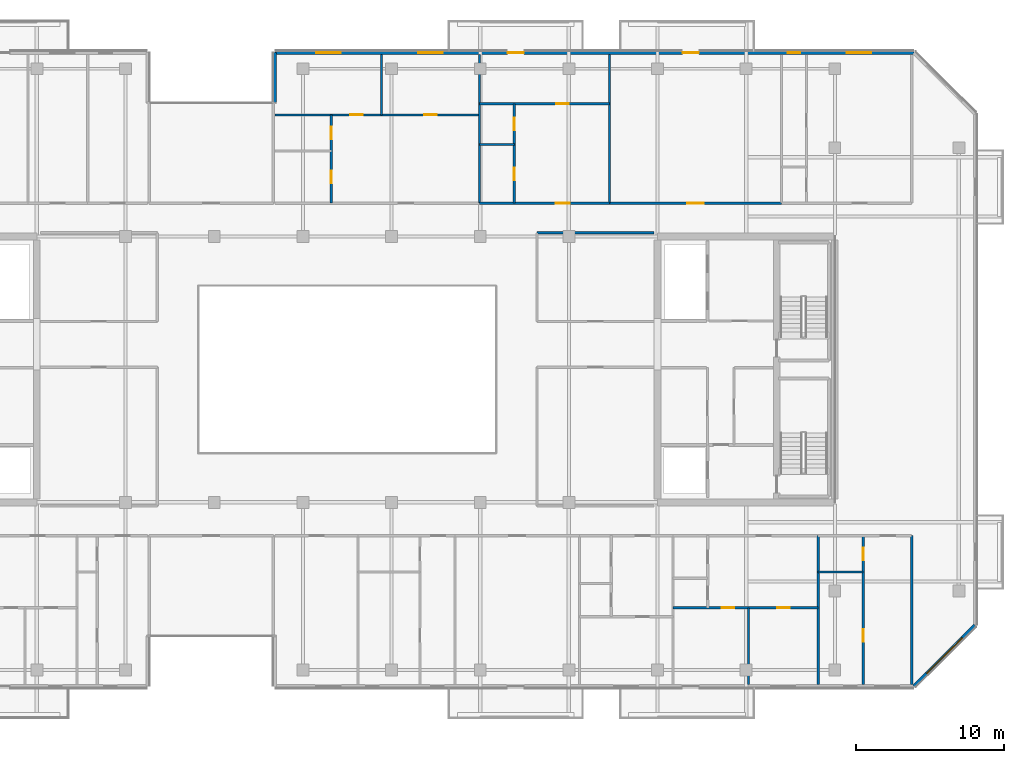
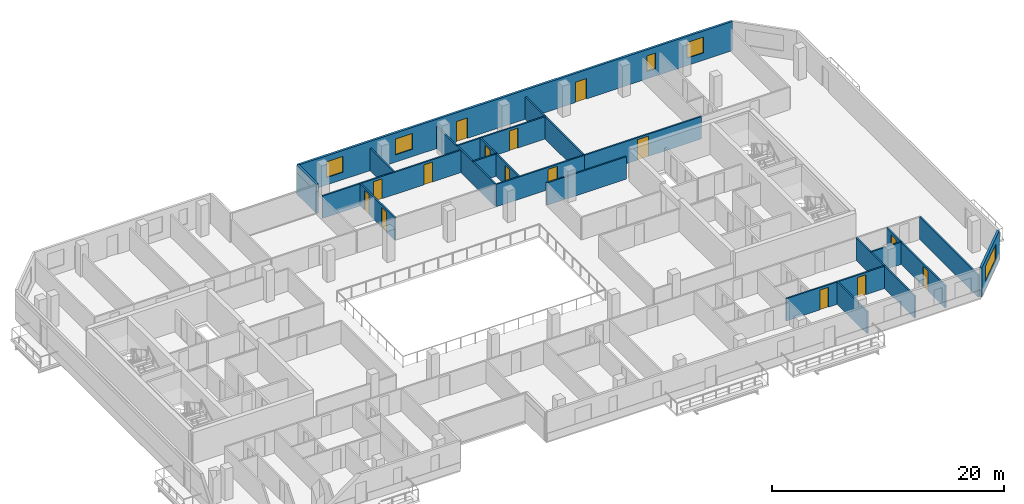
# One storey, part 14 of 20: 20 walls, 15 doors, 5 windows, 20 openings.
"""IFC4 building model written with IfcOpenShell, lengths in metres."""

from ifc_helpers import new_model, si_unit, direction, frame, frame_2d, origin, place, context, subcontext, project, spatial, rectangle, extrude, material, layer, layer_set, type_object, element, fill, save


model = new_model("IFC4")

# Units and contexts
model_context = context("Model", 3, precision=1e-05, world=origin(), true_north=direction((0.0, 1.0)))
body_context = subcontext(model_context, "Body", "Model", "MODEL_VIEW")
ifc_project = project(units=[si_unit("LENGTHUNIT", "METRE"), si_unit("AREAUNIT", "SQUARE_METRE"), si_unit("VOLUMEUNIT", "CUBIC_METRE"), si_unit("PLANEANGLEUNIT", "RADIAN"), si_unit("MASSUNIT", "GRAM", prefix="KILO")], contexts=[model_context])

# Site, building, storey
site_placement = place(None, origin())
site = spatial("IfcSite", under=ifc_project, at=site_placement, CompositionType="ELEMENT")
building_placement = place(site_placement, origin())
building = spatial("IfcBuilding", under=site, at=building_placement, Name="Tanjung Sevakor Pilgrim Tower", CompositionType="ELEMENT")
storey_placement = place(building_placement, frame((0.0, 0.0, 201.6298828125)))
storey = spatial("IfcBuildingStorey", under=building, at=storey_placement, Name="L56", CompositionType="ELEMENT", Elevation=201.6298828125)

# Walls
ifc_material_1 = material(Name="Concrete C40/50", Category="concrete")
ifc_layer_1 = layer(ifc_material_1, 0.14990234375)
ifc_layer_set_1 = layer_set([ifc_layer_1], Name="WT-COMP-150")
wall_type_1 = type_object("IfcWallType", Name="WT-COMP-150", PredefinedType="SOLIDWALL", material=ifc_layer_set_1)
wall_1_placement = place(storey_placement, frame((69.85009765625, 42.85009765625, 0.0), z_axis=(0.0, 0.0, 1.0), x_axis=(1.0, 0.0, 0.0)))
element("IfcWall", 1, at=wall_1_placement, inside=storey, type_object=wall_type_1, Name="L56 Partition IW-L56-029", PredefinedType="SOLIDWALL", context=body_context, shape_type="SweptSolid", body=[
    extrude(rectangle(XDim=7.90478515625, YDim=0.14990234375, at=frame_2d((3.952392578125, 0.0))), origin(), (0.0, 0.0, 1.0), 2.35009765625),
])
for number, where, z_axis, x_axis, name in (
    (2, (95.199951171875, 12.27001953125, 0.0), (0.0, 0.0, 1.0), (0.0, 1.0, 0.0), "L56 Partition IW-L56-051"),
    (3, (88.87841796875, 12.27001953125, 0.0), (0.0, 0.0, 1.0), (0.0, 1.0, 0.0), "L56 Partition IW-L56-065"),
):
    element("IfcWall", number, at=place(storey_placement, frame(where, z_axis=z_axis, x_axis=x_axis)), inside=storey, type_object=wall_type_1, Name=name, PredefinedType="SOLIDWALL", context=body_context, shape_type="SweptSolid", body=[
        extrude(rectangle(XDim=10.080078125, YDim=0.14990234375, at=frame_2d((5.0400390625, 0.0))), origin(), (0.0, 0.0, 1.0), 2.35009765625),
    ])
for number, where, z_axis, x_axis, name in (
    (4, (65.955810546875, 44.85009765625, 0.0), (0.0, 0.0, 1.0), (0.0, 1.0, 0.0), "L56 Partition IW-L56-083"),
    (5, (74.760498046875, 44.85009765625, 0.0), (0.0, 0.0, 1.0), (0.0, 1.0, 0.0), "L56 Partition IW-L56-089"),
):
    element("IfcWall", number, at=place(storey_placement, frame(where, z_axis=z_axis, x_axis=x_axis)), inside=storey, type_object=wall_type_1, Name=name, PredefinedType="SOLIDWALL", context=body_context, shape_type="SweptSolid", body=[
        extrude(rectangle(XDim=10.079833984375, YDim=0.14990234375, at=frame_2d((5.0400390625, 0.0))), origin(), (0.0, 0.0, 1.0), 2.35009765625),
    ])

# Wall, opening, door
wall_2_placement = place(storey_placement, frame((65.955810546875, 44.85009765625, 0.0), z_axis=(0.0, 0.0, 1.0), x_axis=(1.0, 0.0, 0.0)))
wall_2 = element("IfcWall", 6, at=wall_2_placement, inside=storey, type_object=wall_type_1, Name="L56 Partition IW-L56-093", PredefinedType="SOLIDWALL", context=body_context, shape_type="SweptSolid", body=[
    extrude(rectangle(XDim=8.8046875, YDim=0.14990234375, at=frame_2d((4.40234375, 0.0))), origin(), (0.0, 0.0, 1.0), 2.35009765625),
])
opening_1_placement = place(wall_2_placement, frame((5.142333984375, 0.0, 0.0)))
opening_1 = element("IfcOpeningElement", 7, at=opening_1_placement, cuts=wall_2, Name="Opening ID-FD2", PredefinedType="OPENING", context=body_context, shape_type="SweptSolid", body=[
    extrude(rectangle(XDim=0.949951171875, YDim=2.14990234375, at=frame_2d((0.47509765625, 1.074951171875))), frame((0.0, 0.0849609375, 0.0), z_axis=(0.0, -1.0, 0.0), x_axis=(1.0, 0.0, 0.0)), (0.0, 0.0, 1.0), 0.169921875),
])
ifc_material_2 = material(Name="Fire-Rated Timber", Category="wood")
door_type_1 = type_object("IfcDoorType", Name="DT-FIRE-950", OperationType="NOTDEFINED", PredefinedType="DOOR", material=ifc_material_2)
door_1_placement = place(opening_1_placement, origin())
door_1 = element("IfcDoor", 8, at=door_1_placement, inside=storey, type_object=door_type_1, Name="Residence Entrance", OperationType="SINGLE_SWING_LEFT", OverallHeight=2.14990234375, OverallWidth=0.949951171875, PredefinedType="DOOR", context=body_context, shape_type="SweptSolid", body=[
    extrude(rectangle(XDim=0.949951171875, YDim=2.14990234375, at=frame_2d((0.47509765625, 1.074951171875))), frame((0.0, 0.02490234375, 0.0), z_axis=(0.0, -1.0, 0.0), x_axis=(1.0, 0.0, 0.0)), (0.0, 0.0, 1.0), 0.050048828125),
])
fill(opening_1, door_1)

wall_3_placement = place(storey_placement, frame((74.760498046875, 44.85009765625, 0.0), z_axis=(0.0, 0.0, 1.0), x_axis=(1.0, 0.0, 0.0)))
wall_3 = element("IfcWall", 9, at=wall_3_placement, inside=storey, type_object=wall_type_1, Name="L56 Partition IW-L56-095", PredefinedType="SOLIDWALL", context=body_context, shape_type="SweptSolid", body=[
    extrude(rectangle(XDim=11.634765625, YDim=0.14990234375, at=frame_2d((5.8173828125, 0.0))), origin(), (0.0, 0.0, 1.0), 2.35009765625),
])
opening_2_placement = place(wall_3_placement, frame((5.267333984375, 0.0, 0.0)))
opening_2 = element("IfcOpeningElement", 10, at=opening_2_placement, cuts=wall_3, Name="Opening ID-FD0", PredefinedType="OPENING", context=body_context, shape_type="SweptSolid", body=[
    extrude(rectangle(XDim=1.10009765625, YDim=2.14990234375, at=frame_2d((0.550048828125, 1.074951171875))), frame((0.0, 0.0849609375, 0.0), z_axis=(0.0, -1.0, 0.0), x_axis=(1.0, 0.0, 0.0)), (0.0, 0.0, 1.0), 0.169921875),
])
ifc_material_3 = material(Name="Fire-Rated Steel S355J2", Category="steel")
door_type_2 = type_object("IfcDoorType", Name="DT-FIRE-1100", OperationType="NOTDEFINED", PredefinedType="DOOR", material=ifc_material_3)
door_2_placement = place(opening_2_placement, origin())
door_2 = element("IfcDoor", 11, at=door_2_placement, inside=storey, type_object=door_type_2, Name="Seminar Room Door", OperationType="SINGLE_SWING_RIGHT", OverallHeight=2.14990234375, OverallWidth=1.10009765625, PredefinedType="DOOR", context=body_context, shape_type="SweptSolid", body=[
    extrude(rectangle(XDim=1.10009765625, YDim=2.14990234375, at=frame_2d((0.550048828125, 1.074951171875))), frame((0.0, 0.02490234375, 0.0), z_axis=(0.0, -1.0, 0.0), x_axis=(1.0, 0.0, 0.0)), (0.0, 0.0, 1.0), 0.050048828125),
])
fill(opening_2, door_2)

# Wall, opening, window
ifc_material_4 = material(Name="Precast concrete C45/55", Category="concrete")
ifc_layer_2 = layer(ifc_material_4, 0.219970703125)
ifc_layer_set_2 = layer_set([ifc_layer_2], Name="WT-EW-STN4")
wall_type_2 = type_object("IfcWallType", Name="WT-EW-STN4", PredefinedType="SOLIDWALL", material=ifc_layer_set_2)
wall_4_placement = place(storey_placement, frame((95.3544921875, 12.159912109375, 0.0), z_axis=(0.0, 0.0, 1.0), x_axis=(0.707085909342, 0.707127652415, 0.0)))
wall_4 = element("IfcWall", 12, at=wall_4_placement, inside=storey, type_object=wall_type_2, Name="L56 MAIN Sculpted Corner Wall 5", PredefinedType="SOLIDWALL", context=body_context, shape_type="SweptSolid", body=[
    extrude(rectangle(XDim=5.8486328125, YDim=0.219970703125, at=frame_2d((2.92431640625, 0.0))), origin(), (0.0, 0.0, 1.0), 3.080078125),
])
opening_3_placement = place(wall_4_placement, frame((1.224365234375, 0.0, 0.780029296875)))
opening_3 = element("IfcOpeningElement", 13, at=opening_3_placement, cuts=wall_4, Name="Opening WN-CHM-1660", PredefinedType="OPENING", context=body_context, shape_type="SweptSolid", body=[
    extrude(rectangle(XDim=3.39990234375, YDim=1.659912109375, at=frame_2d((1.699951171875, 0.830078125))), frame((0.0, 0.119873046875, 0.0), z_axis=(0.0, -1.0, 0.0), x_axis=(1.0, 0.0, 0.0)), (0.0, 0.0, 1.0), 0.239990234375),
])
ifc_material_5 = material(Name="Thermally Broken Aluminium and Low-E Glass", Category="aluminium")
window_type_1 = type_object("IfcWindowType", Name="WTYP-WN-CHM-1660", PartitioningType="DOUBLE_PANEL_VERTICAL", PredefinedType="WINDOW", material=ifc_material_5)
window_1_placement = place(opening_3_placement, origin())
window_1 = element("IfcWindow", 14, at=window_1_placement, inside=storey, type_object=window_type_1, Name="L56 Facade Window 01", OverallHeight=1.659912109375, OverallWidth=3.39990234375, PartitioningType="SINGLE_PANEL", PredefinedType="WINDOW", context=body_context, shape_type="SweptSolid", body=[
    extrude(rectangle(XDim=3.39990234375, YDim=1.659912109375, at=frame_2d((1.699951171875, 0.830078125))), frame((0.0, 0.030029296875, 0.0), z_axis=(0.0, -1.0, 0.0), x_axis=(1.0, 0.0, 0.0)), (0.0, 0.0, 1.0), 0.06005859375),
])
fill(opening_3, window_1)

# Wall, openings, doors, windows
wall_5_placement = place(storey_placement, frame((95.3544921875, 55.0400390625, 0.0), z_axis=(0.0, 0.0, 1.0), x_axis=(-1.0, 0.0, 0.0)))
wall_5 = element("IfcWall", 15, at=wall_5_placement, inside=storey, type_object=wall_type_2, Name="L56 MAIN Exterior Wall 9", PredefinedType="SOLIDWALL", context=body_context, shape_type="SweptSolid", body=[
    extrude(rectangle(XDim=43.244384765625, YDim=0.219970703125, at=frame_2d((21.6220703125, 0.0))), origin(), (0.0, 0.0, 1.0), 3.080078125),
])
opening_4_placement = place(wall_5_placement, frame((26.404296875, 0.0, 0.0)))
opening_4 = element("IfcOpeningElement", 16, at=opening_4_placement, cuts=wall_5, Name="Opening ED-BAL-1100", PredefinedType="OPENING", context=body_context, shape_type="SweptSolid", body=[
    extrude(rectangle(XDim=1.10009765625, YDim=2.14990234375, at=frame_2d((0.550048828125, 1.074951171875))), frame((0.0, 0.119873046875, 0.0), z_axis=(0.0, -1.0, 0.0), x_axis=(1.0, 0.0, 0.0)), (0.0, 0.0, 1.0), 0.239990234375),
])
opening_5_placement = place(wall_5_placement, frame((14.554443359375, 0.0, 0.0)))
opening_5 = element("IfcOpeningElement", 17, at=opening_5_placement, cuts=wall_5, Name="Opening ED-BAL-1100", PredefinedType="OPENING", context=body_context, shape_type="SweptSolid", body=[
    extrude(rectangle(XDim=1.10009765625, YDim=2.14990234375, at=frame_2d((0.550048828125, 1.074951171875))), frame((0.0, 0.119873046875, 0.0), z_axis=(0.0, -1.0, 0.0), x_axis=(1.0, 0.0, 0.0)), (0.0, 0.0, 1.0), 0.239990234375),
])
opening_6_placement = place(wall_5_placement, frame((38.802001953125, 0.0, 0.780029296875)))
opening_6 = element("IfcOpeningElement", 18, at=opening_6_placement, cuts=wall_5, Name="Opening WN-Z4-1660", PredefinedType="OPENING", context=body_context, shape_type="SweptSolid", body=[
    extrude(rectangle(XDim=1.64990234375, YDim=1.659912109375, at=frame_2d((0.824951171875, 0.830078125))), frame((0.0, 0.119873046875, 0.0), z_axis=(0.0, -1.0, 0.0), x_axis=(1.0, 0.0, 0.0)), (0.0, 0.0, 1.0), 0.239990234375),
])
opening_7_placement = place(wall_5_placement, frame((31.904052734375, 0.0, 0.780029296875)))
opening_7 = element("IfcOpeningElement", 19, at=opening_7_placement, cuts=wall_5, Name="Opening WN-Z4-1660", PredefinedType="OPENING", context=body_context, shape_type="SweptSolid", body=[
    extrude(rectangle(XDim=1.64990234375, YDim=1.659912109375, at=frame_2d((0.824951171875, 0.830078125))), frame((0.0, 0.119873046875, 0.0), z_axis=(0.0, -1.0, 0.0), x_axis=(1.0, 0.0, 0.0)), (0.0, 0.0, 1.0), 0.239990234375),
])
opening_8_placement = place(wall_5_placement, frame((7.681640625, 0.0, 0.780029296875)))
opening_8 = element("IfcOpeningElement", 20, at=opening_8_placement, cuts=wall_5, Name="Opening WN-SLM", PredefinedType="OPENING", context=body_context, shape_type="SweptSolid", body=[
    extrude(rectangle(XDim=0.85009765625, YDim=1.64990234375, at=frame_2d((0.425048828125, 0.824951171875))), frame((0.0, 0.119873046875, 0.0), z_axis=(0.0, -1.0, 0.0), x_axis=(1.0, 0.0, 0.0)), (0.0, 0.0, 1.0), 0.239990234375),
])
opening_9_placement = place(wall_5_placement, frame((2.8994140625, 0.0, 0.780029296875)))
opening_9 = element("IfcOpeningElement", 21, at=opening_9_placement, cuts=wall_5, Name="Opening WN-Z4-1660", PredefinedType="OPENING", context=body_context, shape_type="SweptSolid", body=[
    extrude(rectangle(XDim=1.64990234375, YDim=1.659912109375, at=frame_2d((0.824951171875, 0.830078125))), frame((0.0, 0.119873046875, 0.0), z_axis=(0.0, -1.0, 0.0), x_axis=(1.0, 0.0, 0.0)), (0.0, 0.0, 1.0), 0.239990234375),
])
ifc_material_6 = material(Name="Anodised Aluminium and Laminated Glass", Category="aluminium")
door_type_3 = type_object("IfcDoorType", Name="DTYP-ED-BAL-1100", OperationType="NOTDEFINED", PredefinedType="DOOR", material=ifc_material_6)
door_3_placement = place(opening_4_placement, frame((1.10009765625, 0.0, 0.0), z_axis=(0.0, 0.0, 1.0), x_axis=(-1.0, 0.0, 0.0)))
door_3 = element("IfcDoor", 22, at=door_3_placement, inside=storey, type_object=door_type_3, Name="L56 Balcony Door MAIN-N2", OperationType="SINGLE_SWING_RIGHT", OverallHeight=2.14990234375, OverallWidth=1.10009765625, PredefinedType="DOOR", context=body_context, shape_type="SweptSolid", body=[
    extrude(rectangle(XDim=1.10009765625, YDim=2.14990234375, at=frame_2d((0.550048828125, 1.074951171875))), frame((0.0, 0.02490234375, 0.0), z_axis=(0.0, -1.0, 0.0), x_axis=(1.0, 0.0, 0.0)), (0.0, 0.0, 1.0), 0.050048828125),
])
fill(opening_4, door_3)
door_4_placement = place(opening_5_placement, frame((1.10009765625, 0.0, 0.0), z_axis=(0.0, 0.0, 1.0), x_axis=(-1.0, 0.0, 0.0)))
door_4 = element("IfcDoor", 23, at=door_4_placement, inside=storey, type_object=door_type_3, Name="L56 Balcony Door MAIN-N3", OperationType="SINGLE_SWING_LEFT", OverallHeight=2.14990234375, OverallWidth=1.10009765625, PredefinedType="DOOR", context=body_context, shape_type="SweptSolid", body=[
    extrude(rectangle(XDim=1.10009765625, YDim=2.14990234375, at=frame_2d((0.550048828125, 1.074951171875))), frame((0.0, 0.02490234375, 0.0), z_axis=(0.0, -1.0, 0.0), x_axis=(1.0, 0.0, 0.0)), (0.0, 0.0, 1.0), 0.050048828125),
])
fill(opening_5, door_4)
ifc_material_7 = material(Name="Thermally Broken Aluminium and Low-E Glass", Category="aluminium")
window_type_2 = type_object("IfcWindowType", Name="WTYP-WN-SLM", PartitioningType="SINGLE_PANEL", PredefinedType="WINDOW", material=ifc_material_7)
window_2_placement = place(opening_8_placement, origin())
window_2 = element("IfcWindow", 24, at=window_2_placement, inside=storey, type_object=window_type_2, Name="L56 Facade Window 03", OverallHeight=1.64990234375, OverallWidth=0.85009765625, PartitioningType="SINGLE_PANEL", PredefinedType="WINDOW", context=body_context, shape_type="SweptSolid", body=[
    extrude(rectangle(XDim=0.85009765625, YDim=1.64990234375, at=frame_2d((0.425048828125, 0.824951171875))), frame((0.0, 0.030029296875, 0.0), z_axis=(0.0, -1.0, 0.0), x_axis=(1.0, 0.0, 0.0)), (0.0, 0.0, 1.0), 0.06005859375),
])
fill(opening_8, window_2)
ifc_material_8 = material(Name="Thermally Broken Aluminium and Low-E Glass", Category="aluminium")
window_type_3 = type_object("IfcWindowType", Name="WTYP-WN-Z4-1660", PartitioningType="DOUBLE_PANEL_VERTICAL", PredefinedType="WINDOW", material=ifc_material_8)
window_3_placement = place(opening_6_placement, origin())
window_3 = element("IfcWindow", 25, at=window_3_placement, inside=storey, type_object=window_type_3, Name="L56 Facade Window 01", OverallHeight=1.659912109375, OverallWidth=1.64990234375, PartitioningType="SINGLE_PANEL", PredefinedType="WINDOW", context=body_context, shape_type="SweptSolid", body=[
    extrude(rectangle(XDim=1.64990234375, YDim=1.659912109375, at=frame_2d((0.824951171875, 0.830078125))), frame((0.0, 0.030029296875, 0.0), z_axis=(0.0, -1.0, 0.0), x_axis=(1.0, 0.0, 0.0)), (0.0, 0.0, 1.0), 0.06005859375),
])
fill(opening_6, window_3)
window_4_placement = place(opening_7_placement, origin())
window_4 = element("IfcWindow", 26, at=window_4_placement, inside=storey, type_object=window_type_3, Name="L56 Facade Window 02", OverallHeight=1.659912109375, OverallWidth=1.64990234375, PartitioningType="SINGLE_PANEL", PredefinedType="WINDOW", context=body_context, shape_type="SweptSolid", body=[
    extrude(rectangle(XDim=1.64990234375, YDim=1.659912109375, at=frame_2d((0.824951171875, 0.830078125))), frame((0.0, 0.030029296875, 0.0), z_axis=(0.0, -1.0, 0.0), x_axis=(1.0, 0.0, 0.0)), (0.0, 0.0, 1.0), 0.06005859375),
])
fill(opening_7, window_4)
window_5_placement = place(opening_9_placement, origin())
window_5 = element("IfcWindow", 27, at=window_5_placement, inside=storey, type_object=window_type_3, Name="L56 Facade Window 04", OverallHeight=1.659912109375, OverallWidth=1.64990234375, PartitioningType="SINGLE_PANEL", PredefinedType="WINDOW", context=body_context, shape_type="SweptSolid", body=[
    extrude(rectangle(XDim=1.64990234375, YDim=1.659912109375, at=frame_2d((0.824951171875, 0.830078125))), frame((0.0, 0.030029296875, 0.0), z_axis=(0.0, -1.0, 0.0), x_axis=(1.0, 0.0, 0.0)), (0.0, 0.0, 1.0), 0.06005859375),
])
fill(opening_9, window_5)

# Walls
wall_6_placement = place(storey_placement, frame((52.110107421875, 55.0400390625, 0.0), z_axis=(0.0, 0.0, 1.0), x_axis=(0.0, -1.0, 0.0)))
element("IfcWall", 28, at=wall_6_placement, inside=storey, type_object=wall_type_2, Name="L56 MAIN Exterior Wall 10", PredefinedType="SOLIDWALL", context=body_context, shape_type="SweptSolid", body=[
    extrude(rectangle(XDim=3.400146484375, YDim=0.219970703125, at=frame_2d((1.7001953125, 0.0))), origin(), (0.0, 0.0, 1.0), 3.080078125),
])
ifc_material_9 = material(Name="Gypsum Board Partition", Category="gypsum board")
ifc_layer_3 = layer(ifc_material_9, 0.14990234375)
ifc_layer_set_3 = layer_set([ifc_layer_3], Name="WT-PART-150")
wall_type_3 = type_object("IfcWallType", Name="WT-PART-150", PredefinedType="PARTITIONING", material=ifc_layer_set_3)
wall_7_placement = place(storey_placement, frame((84.158447265625, 12.27001953125, 0.0), z_axis=(0.0, 0.0, 1.0), x_axis=(0.0, 1.0, 0.0)))
element("IfcWall", 29, at=wall_7_placement, inside=storey, type_object=wall_type_3, Name="L56 Partition IW-L56-068", PredefinedType="PARTITIONING", context=body_context, shape_type="SweptSolid", body=[
    extrude(rectangle(XDim=5.199951171875, YDim=0.14990234375, at=frame_2d((2.60009765625, 0.0))), origin(), (0.0, 0.0, 1.0), 2.35009765625),
])

# Wall, openings, doors
wall_8_placement = place(storey_placement, frame((79.044921875, 17.469970703125, 0.0), z_axis=(0.0, 0.0, 1.0), x_axis=(1.0, 0.0, 0.0)))
wall_8 = element("IfcWall", 30, at=wall_8_placement, inside=storey, type_object=wall_type_3, Name="L56 Partition IW-L56-069", PredefinedType="PARTITIONING", context=body_context, shape_type="SweptSolid", body=[
    extrude(rectangle(XDim=9.83349609375, YDim=0.14990234375, at=frame_2d((4.916748046875, 0.0))), origin(), (0.0, 0.0, 1.0), 2.35009765625),
])
opening_10_placement = place(wall_8_placement, frame((3.306640625, 0.0, 0.0)))
opening_10 = element("IfcOpeningElement", 31, at=opening_10_placement, cuts=wall_8, Name="Opening ID-WC1", PredefinedType="OPENING", context=body_context, shape_type="SweptSolid", body=[
    extrude(rectangle(XDim=0.85009765625, YDim=2.10009765625, at=frame_2d((0.425048828125, 1.050048828125))), frame((0.0, 0.0849609375, 0.0), z_axis=(0.0, -1.0, 0.0), x_axis=(1.0, 0.0, 0.0)), (0.0, 0.0, 1.0), 0.169921875),
])
opening_11_placement = place(wall_8_placement, frame((7.04833984375, 0.0, 0.0)))
opening_11 = element("IfcOpeningElement", 32, at=opening_11_placement, cuts=wall_8, Name="Opening ID-WC1", PredefinedType="OPENING", context=body_context, shape_type="SweptSolid", body=[
    extrude(rectangle(XDim=0.85009765625, YDim=2.10009765625, at=frame_2d((0.425048828125, 1.050048828125))), frame((0.0, 0.0849609375, 0.0), z_axis=(0.0, -1.0, 0.0), x_axis=(1.0, 0.0, 0.0)), (0.0, 0.0, 1.0), 0.169921875),
])
ifc_material_10 = material(Name="Moisture-Resistant Timber", Category="wood")
door_type_4 = type_object("IfcDoorType", Name="DT-INT-850", OperationType="NOTDEFINED", PredefinedType="DOOR", material=ifc_material_10)
door_5_placement = place(opening_10_placement, origin())
door_5 = element("IfcDoor", 33, at=door_5_placement, inside=storey, type_object=door_type_4, Name="Suite Bedroom 1 Door", OperationType="SINGLE_SWING_LEFT", OverallHeight=2.10009765625, OverallWidth=0.85009765625, PredefinedType="DOOR", context=body_context, shape_type="SweptSolid", body=[
    extrude(rectangle(XDim=0.85009765625, YDim=2.10009765625, at=frame_2d((0.425048828125, 1.050048828125))), frame((0.0, 0.02490234375, 0.0), z_axis=(0.0, -1.0, 0.0), x_axis=(1.0, 0.0, 0.0)), (0.0, 0.0, 1.0), 0.050048828125),
])
fill(opening_10, door_5)
door_6_placement = place(opening_11_placement, origin())
door_6 = element("IfcDoor", 34, at=door_6_placement, inside=storey, type_object=door_type_4, Name="Suite Bedroom 2 Door", OperationType="SINGLE_SWING_RIGHT", OverallHeight=2.10009765625, OverallWidth=0.85009765625, PredefinedType="DOOR", context=body_context, shape_type="SweptSolid", body=[
    extrude(rectangle(XDim=0.85009765625, YDim=2.10009765625, at=frame_2d((0.425048828125, 1.050048828125))), frame((0.0, 0.02490234375, 0.0), z_axis=(0.0, -1.0, 0.0), x_axis=(1.0, 0.0, 0.0)), (0.0, 0.0, 1.0), 0.050048828125),
])
fill(opening_11, door_6)

# Wall
wall_9_placement = place(storey_placement, frame((88.87841796875, 19.89990234375, 0.0), z_axis=(0.0, 0.0, 1.0), x_axis=(1.0, 0.0, 0.0)))
element("IfcWall", 35, at=wall_9_placement, inside=storey, type_object=wall_type_3, Name="L56 Partition IW-L56-071", PredefinedType="PARTITIONING", context=body_context, shape_type="SweptSolid", body=[
    extrude(rectangle(XDim=3.04150390625, YDim=0.14990234375, at=frame_2d((1.520751953125, 0.0))), origin(), (0.0, 0.0, 1.0), 2.35009765625),
])

# Wall, openings, doors
wall_10_placement = place(storey_placement, frame((91.919921875, 12.27001953125, 0.0), z_axis=(0.0, 0.0, 1.0), x_axis=(0.0, 1.0, 0.0)))
wall_10 = element("IfcWall", 36, at=wall_10_placement, inside=storey, type_object=wall_type_3, Name="L56 Partition IW-L56-072", PredefinedType="PARTITIONING", context=body_context, shape_type="SweptSolid", body=[
    extrude(rectangle(XDim=10.080078125, YDim=0.14990234375, at=frame_2d((5.0400390625, 0.0))), origin(), (0.0, 0.0, 1.0), 2.35009765625),
])
opening_12_placement = place(wall_10_placement, frame((2.912109375, 0.0, 0.0)))
opening_12 = element("IfcOpeningElement", 37, at=opening_12_placement, cuts=wall_10, Name="Opening ID-WC1", PredefinedType="OPENING", context=body_context, shape_type="SweptSolid", body=[
    extrude(rectangle(XDim=0.85009765625, YDim=2.10009765625, at=frame_2d((0.425048828125, 1.050048828125))), frame((0.0, 0.0849609375, 0.0), z_axis=(0.0, -1.0, 0.0), x_axis=(1.0, 0.0, 0.0)), (0.0, 0.0, 1.0), 0.169921875),
])
opening_13_placement = place(wall_10_placement, frame((8.429931640625, 0.0, 0.0)))
opening_13 = element("IfcOpeningElement", 38, at=opening_13_placement, cuts=wall_10, Name="Opening ID-WC1", PredefinedType="OPENING", context=body_context, shape_type="SweptSolid", body=[
    extrude(rectangle(XDim=0.85009765625, YDim=2.10009765625, at=frame_2d((0.425048828125, 1.050048828125))), frame((0.0, 0.0849609375, 0.0), z_axis=(0.0, -1.0, 0.0), x_axis=(1.0, 0.0, 0.0)), (0.0, 0.0, 1.0), 0.169921875),
])
door_7_placement = place(opening_12_placement, origin())
door_7 = element("IfcDoor", 39, at=door_7_placement, inside=storey, type_object=door_type_4, Name="Study Nook Door", OperationType="SINGLE_SWING_RIGHT", OverallHeight=2.10009765625, OverallWidth=0.85009765625, PredefinedType="DOOR", context=body_context, shape_type="SweptSolid", body=[
    extrude(rectangle(XDim=0.85009765625, YDim=2.10009765625, at=frame_2d((0.425048828125, 1.050048828125))), frame((0.0, 0.02490234375, 0.0), z_axis=(0.0, -1.0, 0.0), x_axis=(1.0, 0.0, 0.0)), (0.0, 0.0, 1.0), 0.050048828125),
])
fill(opening_12, door_7)
door_8_placement = place(opening_13_placement, origin())
door_8 = element("IfcDoor", 40, at=door_8_placement, inside=storey, type_object=door_type_4, Name="Bathroom Door", OperationType="SINGLE_SWING_LEFT", OverallHeight=2.10009765625, OverallWidth=0.85009765625, PredefinedType="DOOR", context=body_context, shape_type="SweptSolid", body=[
    extrude(rectangle(XDim=0.85009765625, YDim=2.10009765625, at=frame_2d((0.425048828125, 1.050048828125))), frame((0.0, 0.02490234375, 0.0), z_axis=(0.0, -1.0, 0.0), x_axis=(1.0, 0.0, 0.0)), (0.0, 0.0, 1.0), 0.050048828125),
])
fill(opening_13, door_8)

wall_11_placement = place(storey_placement, frame((55.919921875, 44.85009765625, 0.0), z_axis=(0.0, 0.0, 1.0), x_axis=(0.0, 1.0, 0.0)))
wall_11 = element("IfcWall", 41, at=wall_11_placement, inside=storey, type_object=wall_type_3, Name="L56 Partition IW-L56-085", PredefinedType="PARTITIONING", context=body_context, shape_type="SweptSolid", body=[
    extrude(rectangle(XDim=5.979736328125, YDim=0.14990234375, at=frame_2d((2.98974609375, 0.0))), origin(), (0.0, 0.0, 1.0), 2.35009765625),
])
opening_14_placement = place(wall_11_placement, frame((1.339111328125, 0.0, 0.0)))
opening_14 = element("IfcOpeningElement", 42, at=opening_14_placement, cuts=wall_11, Name="Opening ID-WC1", PredefinedType="OPENING", context=body_context, shape_type="SweptSolid", body=[
    extrude(rectangle(XDim=0.85009765625, YDim=2.10009765625, at=frame_2d((0.425048828125, 1.050048828125))), frame((0.0, 0.0849609375, 0.0), z_axis=(0.0, -1.0, 0.0), x_axis=(1.0, 0.0, 0.0)), (0.0, 0.0, 1.0), 0.169921875),
])
opening_15_placement = place(wall_11_placement, frame((4.328857421875, 0.0, 0.0)))
opening_15 = element("IfcOpeningElement", 43, at=opening_15_placement, cuts=wall_11, Name="Opening ID-WC1", PredefinedType="OPENING", context=body_context, shape_type="SweptSolid", body=[
    extrude(rectangle(XDim=0.85009765625, YDim=2.10009765625, at=frame_2d((0.425048828125, 1.050048828125))), frame((0.0, 0.0849609375, 0.0), z_axis=(0.0, -1.0, 0.0), x_axis=(1.0, 0.0, 0.0)), (0.0, 0.0, 1.0), 0.169921875),
])
door_9_placement = place(opening_14_placement, origin())
door_9 = element("IfcDoor", 44, at=door_9_placement, inside=storey, type_object=door_type_4, Name="Suite Kitchenette Door", OperationType="SINGLE_SWING_LEFT", OverallHeight=2.10009765625, OverallWidth=0.85009765625, PredefinedType="DOOR", context=body_context, shape_type="SweptSolid", body=[
    extrude(rectangle(XDim=0.85009765625, YDim=2.10009765625, at=frame_2d((0.425048828125, 1.050048828125))), frame((0.0, 0.02490234375, 0.0), z_axis=(0.0, -1.0, 0.0), x_axis=(1.0, 0.0, 0.0)), (0.0, 0.0, 1.0), 0.050048828125),
])
fill(opening_14, door_9)
door_10_placement = place(opening_15_placement, origin())
door_10 = element("IfcDoor", 45, at=door_10_placement, inside=storey, type_object=door_type_4, Name="Suite Bathroom Door", OperationType="SINGLE_SWING_RIGHT", OverallHeight=2.10009765625, OverallWidth=0.85009765625, PredefinedType="DOOR", context=body_context, shape_type="SweptSolid", body=[
    extrude(rectangle(XDim=0.85009765625, YDim=2.10009765625, at=frame_2d((0.425048828125, 1.050048828125))), frame((0.0, 0.02490234375, 0.0), z_axis=(0.0, -1.0, 0.0), x_axis=(1.0, 0.0, 0.0)), (0.0, 0.0, 1.0), 0.050048828125),
])
fill(opening_15, door_10)

# Wall
wall_12_placement = place(storey_placement, frame((59.314697265625, 50.829833984375, 0.0), z_axis=(0.0, 0.0, 1.0), x_axis=(0.0, 1.0, 0.0)))
element("IfcWall", 46, at=wall_12_placement, inside=storey, type_object=wall_type_3, Name="L56 Partition IW-L56-086", PredefinedType="PARTITIONING", context=body_context, shape_type="SweptSolid", body=[
    extrude(rectangle(XDim=4.10009765625, YDim=0.14990234375, at=frame_2d((2.050048828125, 0.0))), origin(), (0.0, 0.0, 1.0), 2.35009765625),
])

# Wall, openings, doors
wall_13_placement = place(storey_placement, frame((52.1201171875, 50.829833984375, 0.0), z_axis=(0.0, 0.0, 1.0), x_axis=(1.0, 0.0, 0.0)))
wall_13 = element("IfcWall", 47, at=wall_13_placement, inside=storey, type_object=wall_type_3, Name="L56 Partition IW-L56-087", PredefinedType="PARTITIONING", context=body_context, shape_type="SweptSolid", body=[
    extrude(rectangle(XDim=13.835693359375, YDim=0.14990234375, at=frame_2d((6.91796875, 0.0))), origin(), (0.0, 0.0, 1.0), 2.35009765625),
])
opening_16_placement = place(wall_13_placement, frame((5.072509765625, 0.0, 0.0)))
opening_16 = element("IfcOpeningElement", 48, at=opening_16_placement, cuts=wall_13, Name="Opening ID-WC1", PredefinedType="OPENING", context=body_context, shape_type="SweptSolid", body=[
    extrude(rectangle(XDim=0.85009765625, YDim=2.10009765625, at=frame_2d((0.425048828125, 1.050048828125))), frame((0.0, 0.0849609375, 0.0), z_axis=(0.0, -1.0, 0.0), x_axis=(1.0, 0.0, 0.0)), (0.0, 0.0, 1.0), 0.169921875),
])
opening_17_placement = place(wall_13_placement, frame((10.09033203125, 0.0, 0.0)))
opening_17 = element("IfcOpeningElement", 49, at=opening_17_placement, cuts=wall_13, Name="Opening ID-WC1", PredefinedType="OPENING", context=body_context, shape_type="SweptSolid", body=[
    extrude(rectangle(XDim=0.85009765625, YDim=2.10009765625, at=frame_2d((0.425048828125, 1.050048828125))), frame((0.0, 0.0849609375, 0.0), z_axis=(0.0, -1.0, 0.0), x_axis=(1.0, 0.0, 0.0)), (0.0, 0.0, 1.0), 0.169921875),
])
door_11_placement = place(opening_16_placement, origin())
door_11 = element("IfcDoor", 50, at=door_11_placement, inside=storey, type_object=door_type_4, Name="Suite Bedroom 1 Door", OperationType="SINGLE_SWING_LEFT", OverallHeight=2.10009765625, OverallWidth=0.85009765625, PredefinedType="DOOR", context=body_context, shape_type="SweptSolid", body=[
    extrude(rectangle(XDim=0.85009765625, YDim=2.10009765625, at=frame_2d((0.425048828125, 1.050048828125))), frame((0.0, 0.02490234375, 0.0), z_axis=(0.0, -1.0, 0.0), x_axis=(1.0, 0.0, 0.0)), (0.0, 0.0, 1.0), 0.050048828125),
])
fill(opening_16, door_11)
door_12_placement = place(opening_17_placement, origin())
door_12 = element("IfcDoor", 51, at=door_12_placement, inside=storey, type_object=door_type_4, Name="Suite Bedroom 2 Door", OperationType="SINGLE_SWING_RIGHT", OverallHeight=2.10009765625, OverallWidth=0.85009765625, PredefinedType="DOOR", context=body_context, shape_type="SweptSolid", body=[
    extrude(rectangle(XDim=0.85009765625, YDim=2.10009765625, at=frame_2d((0.425048828125, 1.050048828125))), frame((0.0, 0.02490234375, 0.0), z_axis=(0.0, -1.0, 0.0), x_axis=(1.0, 0.0, 0.0)), (0.0, 0.0, 1.0), 0.050048828125),
])
fill(opening_17, door_12)

# Wall
wall_14_placement = place(storey_placement, frame((65.955810546875, 48.8203125, 0.0), z_axis=(0.0, 0.0, 1.0), x_axis=(1.0, 0.0, 0.0)))
element("IfcWall", 52, at=wall_14_placement, inside=storey, type_object=wall_type_3, Name="L56 Partition IW-L56-090", PredefinedType="PARTITIONING", context=body_context, shape_type="SweptSolid", body=[
    extrude(rectangle(XDim=2.35009765625, YDim=0.14990234375, at=frame_2d((1.175048828125, 0.0))), origin(), (0.0, 0.0, 1.0), 2.35009765625),
])

# Wall, openings, doors
wall_15_placement = place(storey_placement, frame((68.305908203125, 44.85009765625, 0.0), z_axis=(0.0, 0.0, 1.0), x_axis=(0.0, 1.0, 0.0)))
wall_15 = element("IfcWall", 53, at=wall_15_placement, inside=storey, type_object=wall_type_3, Name="L56 Partition IW-L56-091", PredefinedType="PARTITIONING", context=body_context, shape_type="SweptSolid", body=[
    extrude(rectangle(XDim=6.7294921875, YDim=0.14990234375, at=frame_2d((3.36474609375, 0.0))), origin(), (0.0, 0.0, 1.0), 2.35009765625),
])
opening_18_placement = place(wall_15_placement, frame((1.560302734375, 0.0, 0.0)))
opening_18 = element("IfcOpeningElement", 54, at=opening_18_placement, cuts=wall_15, Name="Opening ID-WC1", PredefinedType="OPENING", context=body_context, shape_type="SweptSolid", body=[
    extrude(rectangle(XDim=0.85009765625, YDim=2.10009765625, at=frame_2d((0.425048828125, 1.050048828125))), frame((0.0, 0.0849609375, 0.0), z_axis=(0.0, -1.0, 0.0), x_axis=(1.0, 0.0, 0.0)), (0.0, 0.0, 1.0), 0.169921875),
])
opening_19_placement = place(wall_15_placement, frame((4.9248046875, 0.0, 0.0)))
opening_19 = element("IfcOpeningElement", 55, at=opening_19_placement, cuts=wall_15, Name="Opening ID-WC1", PredefinedType="OPENING", context=body_context, shape_type="SweptSolid", body=[
    extrude(rectangle(XDim=0.85009765625, YDim=2.10009765625, at=frame_2d((0.425048828125, 1.050048828125))), frame((0.0, 0.0849609375, 0.0), z_axis=(0.0, -1.0, 0.0), x_axis=(1.0, 0.0, 0.0)), (0.0, 0.0, 1.0), 0.169921875),
])
door_13_placement = place(opening_18_placement, origin())
door_13 = element("IfcDoor", 56, at=door_13_placement, inside=storey, type_object=door_type_4, Name="Residence Kitchenette Door", OperationType="SINGLE_SWING_RIGHT", OverallHeight=2.10009765625, OverallWidth=0.85009765625, PredefinedType="DOOR", context=body_context, shape_type="SweptSolid", body=[
    extrude(rectangle(XDim=0.85009765625, YDim=2.10009765625, at=frame_2d((0.425048828125, 1.050048828125))), frame((0.0, 0.02490234375, 0.0), z_axis=(0.0, -1.0, 0.0), x_axis=(1.0, 0.0, 0.0)), (0.0, 0.0, 1.0), 0.050048828125),
])
fill(opening_18, door_13)
door_14_placement = place(opening_19_placement, origin())
door_14 = element("IfcDoor", 57, at=door_14_placement, inside=storey, type_object=door_type_4, Name="Residence Bathroom Door", OperationType="SINGLE_SWING_LEFT", OverallHeight=2.10009765625, OverallWidth=0.85009765625, PredefinedType="DOOR", context=body_context, shape_type="SweptSolid", body=[
    extrude(rectangle(XDim=0.85009765625, YDim=2.10009765625, at=frame_2d((0.425048828125, 1.050048828125))), frame((0.0, 0.02490234375, 0.0), z_axis=(0.0, -1.0, 0.0), x_axis=(1.0, 0.0, 0.0)), (0.0, 0.0, 1.0), 0.050048828125),
])
fill(opening_19, door_14)

# Wall, opening, door
wall_16_placement = place(storey_placement, frame((65.955810546875, 51.57958984375, 0.0), z_axis=(0.0, 0.0, 1.0), x_axis=(1.0, 0.0, 0.0)))
wall_16 = element("IfcWall", 58, at=wall_16_placement, inside=storey, type_object=wall_type_3, Name="L56 Partition IW-L56-092", PredefinedType="PARTITIONING", context=body_context, shape_type="SweptSolid", body=[
    extrude(rectangle(XDim=8.8046875, YDim=0.14990234375, at=frame_2d((4.40234375, 0.0))), origin(), (0.0, 0.0, 1.0), 2.35009765625),
])
opening_20_placement = place(wall_16_placement, frame((5.1923828125, 0.0, 0.0)))
opening_20 = element("IfcOpeningElement", 59, at=opening_20_placement, cuts=wall_16, Name="Opening ID-WC1", PredefinedType="OPENING", context=body_context, shape_type="SweptSolid", body=[
    extrude(rectangle(XDim=0.85009765625, YDim=2.10009765625, at=frame_2d((0.425048828125, 1.050048828125))), frame((0.0, 0.0849609375, 0.0), z_axis=(0.0, -1.0, 0.0), x_axis=(1.0, 0.0, 0.0)), (0.0, 0.0, 1.0), 0.169921875),
])
door_15_placement = place(opening_20_placement, origin())
door_15 = element("IfcDoor", 60, at=door_15_placement, inside=storey, type_object=door_type_4, Name="Residence Bedroom Door", OperationType="SINGLE_SWING_RIGHT", OverallHeight=2.10009765625, OverallWidth=0.85009765625, PredefinedType="DOOR", context=body_context, shape_type="SweptSolid", body=[
    extrude(rectangle(XDim=0.85009765625, YDim=2.10009765625, at=frame_2d((0.425048828125, 1.050048828125))), frame((0.0, 0.02490234375, 0.0), z_axis=(0.0, -1.0, 0.0), x_axis=(1.0, 0.0, 0.0)), (0.0, 0.0, 1.0), 0.050048828125),
])
fill(opening_20, door_15)

save(model, "model.ifc")
